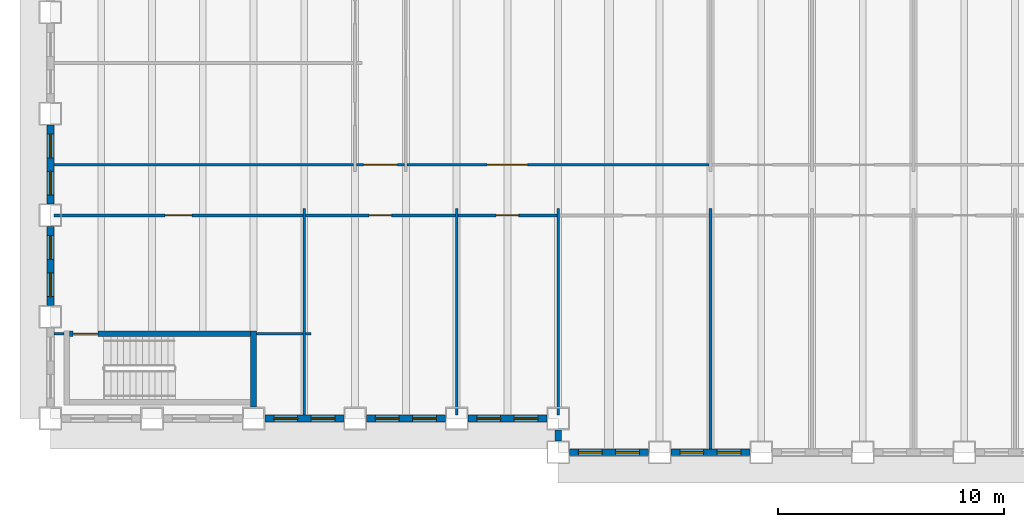
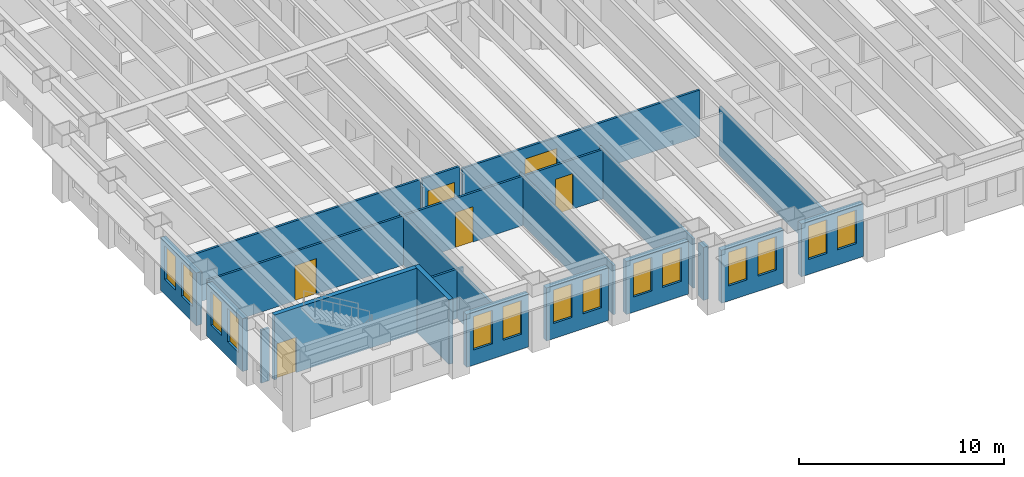
# One storey, part 3 of 16: 23 walls, 14 windows, 6 doors, 20 openings.
"""IFC4 building model written with IfcOpenShell, lengths in metres."""

from ifc_helpers import new_model, si_unit, direction, frame, frame_2d, origin, place, context, subcontext, project, spatial, rectangle, extrude, material, layer, layer_set, type_object, element, fill, save


model = new_model("IFC4")

# Units and contexts
model_context = context("Model", 3, precision=1e-05, world=origin(), true_north=direction((0.0, 1.0)))
body_context = subcontext(model_context, "Body", "Model", "MODEL_VIEW")
ifc_project = project(units=[si_unit("LENGTHUNIT", "METRE"), si_unit("AREAUNIT", "SQUARE_METRE"), si_unit("VOLUMEUNIT", "CUBIC_METRE"), si_unit("PLANEANGLEUNIT", "RADIAN"), si_unit("MASSUNIT", "GRAM", prefix="KILO")], contexts=[model_context])

# Site, building, storey
site_placement = place(None, origin())
site = spatial("IfcSite", under=ifc_project, at=site_placement, CompositionType="ELEMENT")
building_placement = place(site_placement, origin())
building = spatial("IfcBuilding", under=site, at=building_placement, Name="Sennacour Bend Tower", CompositionType="ELEMENT")
storey_placement = place(building_placement, frame((0.0, 0.0, 95.0)))
storey = spatial("IfcBuildingStorey", under=building, at=storey_placement, Name="L21", CompositionType="ELEMENT", Elevation=95.0)

# Walls
ifc_material_1 = material(Name="Plasterboard partition on steel studs", Category="steel")
ifc_layer_1 = layer(ifc_material_1, 0.1201171875, Name="Plasterboard partition on steel studs", Category="steel")
ifc_layer_set_1 = layer_set([ifc_layer_1], Name="Plasterboard partition on steel studs")
wall_type_1 = type_object("IfcWallType", Name="Partition 120", PredefinedType="PARTITIONING", material=ifc_layer_set_1)
for number, where, z_axis, x_axis, name in (
    (1, (11.25, 0.14990234375, 0.0), (0.0, 0.0, 1.0), (0.0, 1.0, 0.0), "P-L21-W012a"),
    (2, (18.0, 0.14990234375, 0.0), (0.0, 0.0, 1.0), (0.0, 1.0, 0.0), "P-L21-W019a"),
    (3, (22.5, 0.14990234375, 0.0), (0.0, 0.0, 1.0), (0.0, 1.0, 0.0), "P-L21-W023a"),
):
    element("IfcWall", number, at=place(storey_placement, frame(where, z_axis=z_axis, x_axis=x_axis)), inside=storey, type_object=wall_type_1, Name=name, PredefinedType="PARTITIONING", context=body_context, shape_type="SweptSolid", body=[
        extrude(rectangle(XDim=9.150146484375, YDim=0.1201171875, at=frame_2d((4.5751953125, 0.0))), origin(), (0.0, 0.0, 1.0), 2.93798828125),
    ])
wall_1_placement = place(storey_placement, frame((29.25, -1.35009765625, 0.0), z_axis=(0.0, 0.0, 1.0), x_axis=(0.0, 1.0, 0.0)))
element("IfcWall", 4, at=wall_1_placement, inside=storey, type_object=wall_type_1, Name="P-L21-W025a", PredefinedType="PARTITIONING", context=body_context, shape_type="SweptSolid", body=[
    extrude(rectangle(XDim=10.650146484375, YDim=0.1201171875, at=frame_2d((5.3251953125, 0.0))), origin(), (0.0, 0.0, 1.0), 2.93798828125),
])
wall_2_placement = place(storey_placement, frame((0.14990234375, 3.75, 0.0), z_axis=(0.0, 0.0, 1.0), x_axis=(1.0, 0.0, 0.0)))
element("IfcWall", 5, at=wall_2_placement, inside=storey, type_object=wall_type_1, Name="P-L21-W052a", PredefinedType="PARTITIONING", context=body_context, shape_type="SweptSolid", body=[
    extrude(rectangle(XDim=0.4501953125, YDim=0.1201171875, at=frame_2d((0.22509765625, 0.0))), origin(), (0.0, 0.0, 1.0), 3.154052734375),
])
wall_3_placement = place(storey_placement, frame((9.125, 3.75, 0.0), z_axis=(0.0, 0.0, 1.0), x_axis=(1.0, 0.0, 0.0)))
element("IfcWall", 6, at=wall_3_placement, inside=storey, type_object=wall_type_1, Name="P-L21-W054aa", PredefinedType="PARTITIONING", context=body_context, shape_type="SweptSolid", body=[
    extrude(rectangle(XDim=2.06494140625, YDim=0.1201171875, at=frame_2d((1.032470703125, 0.0))), origin(), (0.0, 0.0, 1.0), 2.93798828125),
])
wall_4_placement = place(storey_placement, frame((11.31005859375, 3.75, 0.0), z_axis=(0.0, 0.0, 1.0), x_axis=(1.0, 0.0, 0.0)))
element("IfcWall", 7, at=wall_4_placement, inside=storey, type_object=wall_type_1, Name="P-L21-W054ab", PredefinedType="PARTITIONING", context=body_context, shape_type="SweptSolid", body=[
    extrude(rectangle(XDim=0.239990234375, YDim=0.1201171875, at=frame_2d((0.1201171875, 0.0))), origin(), (0.0, 0.0, 1.0), 2.93798828125),
])

# Wall, opening, door
wall_5_placement = place(storey_placement, frame((11.31005859375, 9.0, 0.0), z_axis=(0.0, 0.0, 1.0), x_axis=(1.0, 0.0, 0.0)))
wall_5 = element("IfcWall", 8, at=wall_5_placement, inside=storey, type_object=wall_type_1, Name="P-L21-W058ab", PredefinedType="PARTITIONING", context=body_context, shape_type="SweptSolid", body=[
    extrude(rectangle(XDim=6.6298828125, YDim=0.1201171875, at=frame_2d((3.31494140625, 0.0))), origin(), (0.0, 0.0, 1.0), 2.93798828125),
])
opening_1_placement = place(wall_5_placement, frame((2.81494140625, 0.0, 0.0)))
opening_1 = element("IfcOpeningElement", 9, at=opening_1_placement, cuts=wall_5, Name="Opening OD2", PredefinedType="OPENING", context=body_context, shape_type="SweptSolid", body=[
    extrude(rectangle(XDim=1.0, YDim=2.10009765625, at=frame_2d((0.5, 1.050048828125))), frame((0.0, 0.070068359375, 0.0), z_axis=(0.0, -1.0, 0.0), x_axis=(1.0, 0.0, 0.0)), (0.0, 0.0, 1.0), 0.14013671875),
])
ifc_material_2 = material(Name="Timber", Category="wood")
door_type_1 = type_object("IfcDoorType", Name="DR-OFFICE-1000", OperationType="NOTDEFINED", PredefinedType="DOOR", material=ifc_material_2)
door_1_placement = place(opening_1_placement, origin())
door_1 = element("IfcDoor", 10, at=door_1_placement, inside=storey, type_object=door_type_1, Name="Door", OperationType="SINGLE_SWING_LEFT", OverallHeight=2.10009765625, OverallWidth=1.0, PredefinedType="DOOR", context=body_context, shape_type="SweptSolid", body=[
    extrude(rectangle(XDim=1.0, YDim=2.10009765625, at=frame_2d((0.5, 1.050048828125))), frame((0.0, 0.02490234375, 0.0), z_axis=(0.0, -1.0, 0.0), x_axis=(1.0, 0.0, 0.0)), (0.0, 0.0, 1.0), 0.050048828125),
])
fill(opening_1, door_1)

wall_6_placement = place(storey_placement, frame((18.06005859375, 9.0, 0.0), z_axis=(0.0, 0.0, 1.0), x_axis=(1.0, 0.0, 0.0)))
wall_6 = element("IfcWall", 11, at=wall_6_placement, inside=storey, type_object=wall_type_1, Name="P-L21-W058ac", PredefinedType="PARTITIONING", context=body_context, shape_type="SweptSolid", body=[
    extrude(rectangle(XDim=4.3798828125, YDim=0.1201171875, at=frame_2d((2.18994140625, 0.0))), origin(), (0.0, 0.0, 1.0), 2.93798828125),
])
opening_2_placement = place(wall_6_placement, frame((1.68994140625, 0.0, 0.0)))
opening_2 = element("IfcOpeningElement", 12, at=opening_2_placement, cuts=wall_6, Name="Opening OD2", PredefinedType="OPENING", context=body_context, shape_type="SweptSolid", body=[
    extrude(rectangle(XDim=1.0, YDim=2.10009765625, at=frame_2d((0.5, 1.050048828125))), frame((0.0, 0.070068359375, 0.0), z_axis=(0.0, -1.0, 0.0), x_axis=(1.0, 0.0, 0.0)), (0.0, 0.0, 1.0), 0.14013671875),
])
door_2_placement = place(opening_2_placement, origin())
door_2 = element("IfcDoor", 13, at=door_2_placement, inside=storey, type_object=door_type_1, Name="Door", OperationType="SINGLE_SWING_LEFT", OverallHeight=2.10009765625, OverallWidth=1.0, PredefinedType="DOOR", context=body_context, shape_type="SweptSolid", body=[
    extrude(rectangle(XDim=1.0, YDim=2.10009765625, at=frame_2d((0.5, 1.050048828125))), frame((0.0, 0.02490234375, 0.0), z_axis=(0.0, -1.0, 0.0), x_axis=(1.0, 0.0, 0.0)), (0.0, 0.0, 1.0), 0.050048828125),
])
fill(opening_2, door_2)

# Wall
wall_7_placement = place(storey_placement, frame((0.14990234375, 11.25, 0.0), z_axis=(0.0, 0.0, 1.0), x_axis=(1.0, 0.0, 0.0)))
element("IfcWall", 14, at=wall_7_placement, inside=storey, type_object=wall_type_1, Name="P-L21-W060aa", PredefinedType="PARTITIONING", context=body_context, shape_type="SweptSolid", body=[
    extrude(rectangle(XDim=13.2900390625, YDim=0.1201171875, at=frame_2d((6.64501953125, 0.0))), origin(), (0.0, 0.0, 1.0), 2.93798828125),
])

# Wall, opening, door
wall_8_placement = place(storey_placement, frame((15.81005859375, 11.25, 0.0), z_axis=(0.0, 0.0, 1.0), x_axis=(1.0, 0.0, 0.0)))
wall_8 = element("IfcWall", 15, at=wall_8_placement, inside=storey, type_object=wall_type_1, Name="P-L21-W060ac", PredefinedType="PARTITIONING", context=body_context, shape_type="SweptSolid", body=[
    extrude(rectangle(XDim=13.3798828125, YDim=0.1201171875, at=frame_2d((6.68994140625, 0.0))), origin(), (0.0, 0.0, 1.0), 2.760009765625),
])
opening_3_placement = place(wall_8_placement, frame((3.539794921875, 0.0, 0.0)))
opening_3 = element("IfcOpeningElement", 16, at=opening_3_placement, cuts=wall_8, Name="Opening OD3", PredefinedType="OPENING", context=body_context, shape_type="SweptSolid", body=[
    extrude(rectangle(XDim=1.800048828125, YDim=2.10009765625, at=frame_2d((0.89990234375, 1.050048828125))), frame((0.0, 0.070068359375, 0.0), z_axis=(0.0, -1.0, 0.0), x_axis=(1.0, 0.0, 0.0)), (0.0, 0.0, 1.0), 0.14013671875),
])
door_type_2 = type_object("IfcDoorType", Name="DR-OFFICE-1800", OperationType="NOTDEFINED", PredefinedType="DOOR", material=ifc_material_2)
door_3_placement = place(opening_3_placement, origin())
door_3 = element("IfcDoor", 17, at=door_3_placement, inside=storey, type_object=door_type_2, Name="Door", OperationType="DOUBLE_DOOR_SINGLE_SWING", OverallHeight=2.10009765625, OverallWidth=1.800048828125, PredefinedType="DOOR", context=body_context, shape_type="SweptSolid", body=[
    extrude(rectangle(XDim=1.800048828125, YDim=2.10009765625, at=frame_2d((0.89990234375, 1.050048828125))), frame((0.0, 0.02490234375, 0.0), z_axis=(0.0, -1.0, 0.0), x_axis=(1.0, 0.0, 0.0)), (0.0, 0.0, 1.0), 0.050048828125),
])
fill(opening_3, door_3)

ifc_layer_2 = layer(ifc_material_1, 0.1201171875, Name="Plasterboard partition on steel studs", Category="steel")
ifc_layer_set_2 = layer_set([ifc_layer_2], Name="Plasterboard partition on steel studs")
wall_type_2 = type_object("IfcWallType", Name="Partition 120 EI 30", PredefinedType="PARTITIONING", material=ifc_layer_set_2)
wall_9_placement = place(storey_placement, frame((0.14990234375, 9.0, 0.0), z_axis=(0.0, 0.0, 1.0), x_axis=(1.0, 0.0, 0.0)))
wall_9 = element("IfcWall", 18, at=wall_9_placement, inside=storey, type_object=wall_type_2, Name="P-L21-W058aa", PredefinedType="PARTITIONING", context=body_context, shape_type="SweptSolid", body=[
    extrude(rectangle(XDim=11.0400390625, YDim=0.1201171875, at=frame_2d((5.52001953125, 0.0))), origin(), (0.0, 0.0, 1.0), 2.93798828125),
])
opening_4_placement = place(wall_9_placement, frame((4.93017578125, 0.0, 0.0)))
opening_4 = element("IfcOpeningElement", 19, at=opening_4_placement, cuts=wall_9, Name="Opening KD2", PredefinedType="OPENING", context=body_context, shape_type="SweptSolid", body=[
    extrude(rectangle(XDim=1.199951171875, YDim=2.10009765625, at=frame_2d((0.60009765625, 1.050048828125))), frame((0.0, 0.070068359375, 0.0), z_axis=(0.0, -1.0, 0.0), x_axis=(1.0, 0.0, 0.0)), (0.0, 0.0, 1.0), 0.14013671875),
])
ifc_material_3 = material(Name="Painted steel", Category="steel")
door_type_3 = type_object("IfcDoorType", Name="DR-CORRIDOR-1200", OperationType="NOTDEFINED", PredefinedType="DOOR", material=ifc_material_3)
door_4_placement = place(opening_4_placement, origin())
door_4 = element("IfcDoor", 20, at=door_4_placement, inside=storey, type_object=door_type_3, Name="Door", OperationType="SINGLE_SWING_LEFT", OverallHeight=2.10009765625, OverallWidth=1.199951171875, PredefinedType="DOOR", context=body_context, shape_type="SweptSolid", body=[
    extrude(rectangle(XDim=1.199951171875, YDim=2.10009765625, at=frame_2d((0.60009765625, 1.050048828125))), frame((0.0, 0.02490234375, 0.0), z_axis=(0.0, -1.0, 0.0), x_axis=(1.0, 0.0, 0.0)), (0.0, 0.0, 1.0), 0.050048828125),
])
fill(opening_4, door_4)

wall_10_placement = place(storey_placement, frame((13.56005859375, 11.25, 0.0), z_axis=(0.0, 0.0, 1.0), x_axis=(1.0, 0.0, 0.0)))
wall_10 = element("IfcWall", 21, at=wall_10_placement, inside=storey, type_object=wall_type_2, Name="P-L21-W060ab", PredefinedType="PARTITIONING", context=body_context, shape_type="SweptSolid", body=[
    extrude(rectangle(XDim=2.1298828125, YDim=0.1201171875, at=frame_2d((1.06494140625, 0.0))), origin(), (0.0, 0.0, 1.0), 2.93798828125),
])
opening_5_placement = place(wall_10_placement, frame((0.31494140625, 0.0, 0.0)))
opening_5 = element("IfcOpeningElement", 22, at=opening_5_placement, cuts=wall_10, Name="Opening KD", PredefinedType="OPENING", context=body_context, shape_type="SweptSolid", body=[
    extrude(rectangle(XDim=1.5, YDim=2.10009765625, at=frame_2d((0.75, 1.050048828125))), frame((0.0, 0.070068359375, 0.0), z_axis=(0.0, -1.0, 0.0), x_axis=(1.0, 0.0, 0.0)), (0.0, 0.0, 1.0), 0.14013671875),
])
door_type_4 = type_object("IfcDoorType", Name="DR-CORRIDOR-1500", OperationType="NOTDEFINED", PredefinedType="DOOR", material=ifc_material_3)
door_5_placement = place(opening_5_placement, origin())
door_5 = element("IfcDoor", 23, at=door_5_placement, inside=storey, type_object=door_type_4, Name="Door", OperationType="SINGLE_SWING_LEFT", OverallHeight=2.10009765625, OverallWidth=1.5, PredefinedType="DOOR", context=body_context, shape_type="SweptSolid", body=[
    extrude(rectangle(XDim=1.5, YDim=2.10009765625, at=frame_2d((0.75, 1.050048828125))), frame((0.0, 0.02490234375, 0.0), z_axis=(0.0, -1.0, 0.0), x_axis=(1.0, 0.0, 0.0)), (0.0, 0.0, 1.0), 0.050048828125),
])
fill(opening_5, door_5)

# Wall, openings, windows
ifc_material_4 = material(Name="Warm limestone cladding", Category="masonry")
ifc_layer_3 = layer(ifc_material_4, 0.050048828125, Name="Warm limestone cladding", Category="masonry")
ifc_material_5 = material(Name="Precast concrete C40/50", Category="concrete")
ifc_layer_4 = layer(ifc_material_5, 0.25, Name="Precast concrete C40/50", Category="concrete")
ifc_layer_set_3 = layer_set([ifc_layer_3, ifc_layer_4], Name="Precast concrete C40/50 with limestone cladding")
wall_type_3 = type_object("IfcWallType", Name="STONE-CLAD PRECAST SPANDREL 300", PredefinedType="STANDARD", material=ifc_layer_set_3)
wall_11_placement = place(storey_placement, frame((23.0, -1.5, 0.0), z_axis=(0.0, 0.0, 1.0), x_axis=(1.0, 0.0, 0.0)))
wall_11 = element("IfcWall", 24, at=wall_11_placement, inside=storey, type_object=wall_type_3, Name="Stone spandrel and pier wall L21 00.00", PredefinedType="STANDARD", context=body_context, shape_type="SweptSolid", body=[
    extrude(rectangle(XDim=3.5, YDim=0.300048828125, at=frame_2d((1.75, 0.0))), origin(), (0.0, 0.0, 1.0), 3.154052734375),
])
opening_6_placement = place(wall_11_placement, frame((0.39990234375, 0.0, 0.89990234375)))
opening_6 = element("IfcOpeningElement", 25, at=opening_6_placement, cuts=wall_11, Name="Opening W13", PredefinedType="OPENING", context=body_context, shape_type="SweptSolid", body=[
    extrude(rectangle(XDim=1.050048828125, YDim=2.0, at=frame_2d((0.52490234375, 1.0))), frame((0.0, 0.16015625, 0.0), z_axis=(0.0, -1.0, 0.0), x_axis=(1.0, 0.0, 0.0)), (0.0, 0.0, 1.0), 0.320068359375),
])
opening_7_placement = place(wall_11_placement, frame((2.050048828125, 0.0, 0.89990234375)))
opening_7 = element("IfcOpeningElement", 26, at=opening_7_placement, cuts=wall_11, Name="Opening W13", PredefinedType="OPENING", context=body_context, shape_type="SweptSolid", body=[
    extrude(rectangle(XDim=1.050048828125, YDim=2.0, at=frame_2d((0.52490234375, 1.0))), frame((0.0, 0.16015625, 0.0), z_axis=(0.0, -1.0, 0.0), x_axis=(1.0, 0.0, 0.0)), (0.0, 0.0, 1.0), 0.320068359375),
])
ifc_material_6 = material(Name="Clear low-emissivity glass", Category="glass")
window_type = type_object("IfcWindowType", Name="WIN-RIBBON-1050x2000", PartitioningType="SINGLE_PANEL", PredefinedType="WINDOW", material=ifc_material_6)
window_1_placement = place(opening_6_placement, origin())
window_1 = element("IfcWindow", 27, at=window_1_placement, inside=storey, type_object=window_type, Name="Ribbon window L21 00.00.0", OverallHeight=2.0, OverallWidth=1.050048828125, PartitioningType="SINGLE_PANEL", PredefinedType="WINDOW", context=body_context, shape_type="SweptSolid", body=[
    extrude(rectangle(XDim=1.050048828125, YDim=2.0, at=frame_2d((0.52490234375, 1.0))), frame((0.0, 0.030029296875, 0.0), z_axis=(0.0, -1.0, 0.0), x_axis=(1.0, 0.0, 0.0)), (0.0, 0.0, 1.0), 0.06005859375),
])
fill(opening_6, window_1)
window_2_placement = place(opening_7_placement, origin())
window_2 = element("IfcWindow", 28, at=window_2_placement, inside=storey, type_object=window_type, Name="Ribbon window L21 00.00.1", OverallHeight=2.0, OverallWidth=1.050048828125, PartitioningType="SINGLE_PANEL", PredefinedType="WINDOW", context=body_context, shape_type="SweptSolid", body=[
    extrude(rectangle(XDim=1.050048828125, YDim=2.0, at=frame_2d((0.52490234375, 1.0))), frame((0.0, 0.030029296875, 0.0), z_axis=(0.0, -1.0, 0.0), x_axis=(1.0, 0.0, 0.0)), (0.0, 0.0, 1.0), 0.06005859375),
])
fill(opening_7, window_2)

wall_12_placement = place(storey_placement, frame((27.5, -1.5, 0.0), z_axis=(0.0, 0.0, 1.0), x_axis=(1.0, 0.0, 0.0)))
wall_12 = element("IfcWall", 29, at=wall_12_placement, inside=storey, type_object=wall_type_3, Name="Stone spandrel and pier wall L21 00.01", PredefinedType="STANDARD", context=body_context, shape_type="SweptSolid", body=[
    extrude(rectangle(XDim=3.5, YDim=0.300048828125, at=frame_2d((1.75, 0.0))), origin(), (0.0, 0.0, 1.0), 3.154052734375),
])
opening_8_placement = place(wall_12_placement, frame((0.39990234375, 0.0, 0.89990234375)))
opening_8 = element("IfcOpeningElement", 30, at=opening_8_placement, cuts=wall_12, Name="Opening W13", PredefinedType="OPENING", context=body_context, shape_type="SweptSolid", body=[
    extrude(rectangle(XDim=1.050048828125, YDim=2.0, at=frame_2d((0.52490234375, 1.0))), frame((0.0, 0.16015625, 0.0), z_axis=(0.0, -1.0, 0.0), x_axis=(1.0, 0.0, 0.0)), (0.0, 0.0, 1.0), 0.320068359375),
])
opening_9_placement = place(wall_12_placement, frame((2.050048828125, 0.0, 0.89990234375)))
opening_9 = element("IfcOpeningElement", 31, at=opening_9_placement, cuts=wall_12, Name="Opening W13", PredefinedType="OPENING", context=body_context, shape_type="SweptSolid", body=[
    extrude(rectangle(XDim=1.050048828125, YDim=2.0, at=frame_2d((0.52490234375, 1.0))), frame((0.0, 0.16015625, 0.0), z_axis=(0.0, -1.0, 0.0), x_axis=(1.0, 0.0, 0.0)), (0.0, 0.0, 1.0), 0.320068359375),
])
window_3_placement = place(opening_8_placement, origin())
window_3 = element("IfcWindow", 32, at=window_3_placement, inside=storey, type_object=window_type, Name="Ribbon window L21 00.01.0", OverallHeight=2.0, OverallWidth=1.050048828125, PartitioningType="SINGLE_PANEL", PredefinedType="WINDOW", context=body_context, shape_type="SweptSolid", body=[
    extrude(rectangle(XDim=1.050048828125, YDim=2.0, at=frame_2d((0.52490234375, 1.0))), frame((0.0, 0.030029296875, 0.0), z_axis=(0.0, -1.0, 0.0), x_axis=(1.0, 0.0, 0.0)), (0.0, 0.0, 1.0), 0.06005859375),
])
fill(opening_8, window_3)
window_4_placement = place(opening_9_placement, origin())
window_4 = element("IfcWindow", 33, at=window_4_placement, inside=storey, type_object=window_type, Name="Ribbon window L21 00.01.1", OverallHeight=2.0, OverallWidth=1.050048828125, PartitioningType="SINGLE_PANEL", PredefinedType="WINDOW", context=body_context, shape_type="SweptSolid", body=[
    extrude(rectangle(XDim=1.050048828125, YDim=2.0, at=frame_2d((0.52490234375, 1.0))), frame((0.0, 0.030029296875, 0.0), z_axis=(0.0, -1.0, 0.0), x_axis=(1.0, 0.0, 0.0)), (0.0, 0.0, 1.0), 0.06005859375),
])
fill(opening_9, window_4)

wall_13_placement = place(storey_placement, frame((0.0, 13.0, 0.0), z_axis=(0.0, 0.0, 1.0), x_axis=(0.0, -1.0, 0.0)))
wall_13 = element("IfcWall", 34, at=wall_13_placement, inside=storey, type_object=wall_type_3, Name="Stone spandrel and pier wall L21 21.02", PredefinedType="STANDARD", context=body_context, shape_type="SweptSolid", body=[
    extrude(rectangle(XDim=3.5, YDim=0.300048828125, at=frame_2d((1.75, 0.0))), origin(), (0.0, 0.0, 1.0), 3.154052734375),
])
opening_10_placement = place(wall_13_placement, frame((0.39990234375, 0.0, 0.89990234375)))
opening_10 = element("IfcOpeningElement", 35, at=opening_10_placement, cuts=wall_13, Name="Opening W13", PredefinedType="OPENING", context=body_context, shape_type="SweptSolid", body=[
    extrude(rectangle(XDim=1.050048828125, YDim=2.0, at=frame_2d((0.52490234375, 1.0))), frame((0.0, 0.16015625, 0.0), z_axis=(0.0, -1.0, 0.0), x_axis=(1.0, 0.0, 0.0)), (0.0, 0.0, 1.0), 0.320068359375),
])
opening_11_placement = place(wall_13_placement, frame((2.050048828125, 0.0, 0.89990234375)))
opening_11 = element("IfcOpeningElement", 36, at=opening_11_placement, cuts=wall_13, Name="Opening W13", PredefinedType="OPENING", context=body_context, shape_type="SweptSolid", body=[
    extrude(rectangle(XDim=1.050048828125, YDim=2.0, at=frame_2d((0.52490234375, 1.0))), frame((0.0, 0.16015625, 0.0), z_axis=(0.0, -1.0, 0.0), x_axis=(1.0, 0.0, 0.0)), (0.0, 0.0, 1.0), 0.320068359375),
])
window_5_placement = place(opening_10_placement, origin())
window_5 = element("IfcWindow", 37, at=window_5_placement, inside=storey, type_object=window_type, Name="Ribbon window L21 21.02.0", OverallHeight=2.0, OverallWidth=1.050048828125, PartitioningType="SINGLE_PANEL", PredefinedType="WINDOW", context=body_context, shape_type="SweptSolid", body=[
    extrude(rectangle(XDim=1.050048828125, YDim=2.0, at=frame_2d((0.52490234375, 1.0))), frame((0.0, 0.030029296875, 0.0), z_axis=(0.0, -1.0, 0.0), x_axis=(1.0, 0.0, 0.0)), (0.0, 0.0, 1.0), 0.06005859375),
])
fill(opening_10, window_5)
window_6_placement = place(opening_11_placement, origin())
window_6 = element("IfcWindow", 38, at=window_6_placement, inside=storey, type_object=window_type, Name="Ribbon window L21 21.02.1", OverallHeight=2.0, OverallWidth=1.050048828125, PartitioningType="SINGLE_PANEL", PredefinedType="WINDOW", context=body_context, shape_type="SweptSolid", body=[
    extrude(rectangle(XDim=1.050048828125, YDim=2.0, at=frame_2d((0.52490234375, 1.0))), frame((0.0, 0.030029296875, 0.0), z_axis=(0.0, -1.0, 0.0), x_axis=(1.0, 0.0, 0.0)), (0.0, 0.0, 1.0), 0.06005859375),
])
fill(opening_11, window_6)

wall_14_placement = place(storey_placement, frame((0.0, 8.5, 0.0), z_axis=(0.0, 0.0, 1.0), x_axis=(0.0, -1.0, 0.0)))
wall_14 = element("IfcWall", 39, at=wall_14_placement, inside=storey, type_object=wall_type_3, Name="Stone spandrel and pier wall L21 21.03", PredefinedType="STANDARD", context=body_context, shape_type="SweptSolid", body=[
    extrude(rectangle(XDim=3.5, YDim=0.300048828125, at=frame_2d((1.75, 0.0))), origin(), (0.0, 0.0, 1.0), 3.154052734375),
])
opening_12_placement = place(wall_14_placement, frame((0.39990234375, 0.0, 0.89990234375)))
opening_12 = element("IfcOpeningElement", 40, at=opening_12_placement, cuts=wall_14, Name="Opening W13", PredefinedType="OPENING", context=body_context, shape_type="SweptSolid", body=[
    extrude(rectangle(XDim=1.050048828125, YDim=2.0, at=frame_2d((0.52490234375, 1.0))), frame((0.0, 0.16015625, 0.0), z_axis=(0.0, -1.0, 0.0), x_axis=(1.0, 0.0, 0.0)), (0.0, 0.0, 1.0), 0.320068359375),
])
opening_13_placement = place(wall_14_placement, frame((2.050048828125, 0.0, 0.89990234375)))
opening_13 = element("IfcOpeningElement", 41, at=opening_13_placement, cuts=wall_14, Name="Opening W13", PredefinedType="OPENING", context=body_context, shape_type="SweptSolid", body=[
    extrude(rectangle(XDim=1.050048828125, YDim=2.0, at=frame_2d((0.52490234375, 1.0))), frame((0.0, 0.16015625, 0.0), z_axis=(0.0, -1.0, 0.0), x_axis=(1.0, 0.0, 0.0)), (0.0, 0.0, 1.0), 0.320068359375),
])
window_7_placement = place(opening_12_placement, origin())
window_7 = element("IfcWindow", 42, at=window_7_placement, inside=storey, type_object=window_type, Name="Ribbon window L21 21.03.0", OverallHeight=2.0, OverallWidth=1.050048828125, PartitioningType="SINGLE_PANEL", PredefinedType="WINDOW", context=body_context, shape_type="SweptSolid", body=[
    extrude(rectangle(XDim=1.050048828125, YDim=2.0, at=frame_2d((0.52490234375, 1.0))), frame((0.0, 0.030029296875, 0.0), z_axis=(0.0, -1.0, 0.0), x_axis=(1.0, 0.0, 0.0)), (0.0, 0.0, 1.0), 0.06005859375),
])
fill(opening_12, window_7)
window_8_placement = place(opening_13_placement, origin())
window_8 = element("IfcWindow", 43, at=window_8_placement, inside=storey, type_object=window_type, Name="Ribbon window L21 21.03.1", OverallHeight=2.0, OverallWidth=1.050048828125, PartitioningType="SINGLE_PANEL", PredefinedType="WINDOW", context=body_context, shape_type="SweptSolid", body=[
    extrude(rectangle(XDim=1.050048828125, YDim=2.0, at=frame_2d((0.52490234375, 1.0))), frame((0.0, 0.030029296875, 0.0), z_axis=(0.0, -1.0, 0.0), x_axis=(1.0, 0.0, 0.0)), (0.0, 0.0, 1.0), 0.06005859375),
])
fill(opening_13, window_8)

wall_15_placement = place(storey_placement, frame((9.5, 0.0, 0.0), z_axis=(0.0, 0.0, 1.0), x_axis=(1.0, 0.0, 0.0)))
wall_15 = element("IfcWall", 44, at=wall_15_placement, inside=storey, type_object=wall_type_3, Name="Stone spandrel and pier wall L21 22.02", PredefinedType="STANDARD", context=body_context, shape_type="SweptSolid", body=[
    extrude(rectangle(XDim=3.5, YDim=0.300048828125, at=frame_2d((1.75, 0.0))), origin(), (0.0, 0.0, 1.0), 3.154052734375),
])
opening_14_placement = place(wall_15_placement, frame((0.39990234375, 0.0, 0.89990234375)))
opening_14 = element("IfcOpeningElement", 45, at=opening_14_placement, cuts=wall_15, Name="Opening W13", PredefinedType="OPENING", context=body_context, shape_type="SweptSolid", body=[
    extrude(rectangle(XDim=1.050048828125, YDim=2.0, at=frame_2d((0.52490234375, 1.0))), frame((0.0, 0.16015625, 0.0), z_axis=(0.0, -1.0, 0.0), x_axis=(1.0, 0.0, 0.0)), (0.0, 0.0, 1.0), 0.320068359375),
])
opening_15_placement = place(wall_15_placement, frame((2.050048828125, 0.0, 0.89990234375)))
opening_15 = element("IfcOpeningElement", 46, at=opening_15_placement, cuts=wall_15, Name="Opening W13", PredefinedType="OPENING", context=body_context, shape_type="SweptSolid", body=[
    extrude(rectangle(XDim=1.050048828125, YDim=2.0, at=frame_2d((0.52490234375, 1.0))), frame((0.0, 0.16015625, 0.0), z_axis=(0.0, -1.0, 0.0), x_axis=(1.0, 0.0, 0.0)), (0.0, 0.0, 1.0), 0.320068359375),
])
window_9_placement = place(opening_14_placement, origin())
window_9 = element("IfcWindow", 47, at=window_9_placement, inside=storey, type_object=window_type, Name="Ribbon window L21 22.02.0", OverallHeight=2.0, OverallWidth=1.050048828125, PartitioningType="SINGLE_PANEL", PredefinedType="WINDOW", context=body_context, shape_type="SweptSolid", body=[
    extrude(rectangle(XDim=1.050048828125, YDim=2.0, at=frame_2d((0.52490234375, 1.0))), frame((0.0, 0.030029296875, 0.0), z_axis=(0.0, -1.0, 0.0), x_axis=(1.0, 0.0, 0.0)), (0.0, 0.0, 1.0), 0.06005859375),
])
fill(opening_14, window_9)
window_10_placement = place(opening_15_placement, origin())
window_10 = element("IfcWindow", 48, at=window_10_placement, inside=storey, type_object=window_type, Name="Ribbon window L21 22.02.1", OverallHeight=2.0, OverallWidth=1.050048828125, PartitioningType="SINGLE_PANEL", PredefinedType="WINDOW", context=body_context, shape_type="SweptSolid", body=[
    extrude(rectangle(XDim=1.050048828125, YDim=2.0, at=frame_2d((0.52490234375, 1.0))), frame((0.0, 0.030029296875, 0.0), z_axis=(0.0, -1.0, 0.0), x_axis=(1.0, 0.0, 0.0)), (0.0, 0.0, 1.0), 0.06005859375),
])
fill(opening_15, window_10)

wall_16_placement = place(storey_placement, frame((14.0, 0.0, 0.0), z_axis=(0.0, 0.0, 1.0), x_axis=(1.0, 0.0, 0.0)))
wall_16 = element("IfcWall", 49, at=wall_16_placement, inside=storey, type_object=wall_type_3, Name="Stone spandrel and pier wall L21 22.03", PredefinedType="STANDARD", context=body_context, shape_type="SweptSolid", body=[
    extrude(rectangle(XDim=3.5, YDim=0.300048828125, at=frame_2d((1.75, 0.0))), origin(), (0.0, 0.0, 1.0), 3.154052734375),
])
opening_16_placement = place(wall_16_placement, frame((0.39990234375, 0.0, 0.89990234375)))
opening_16 = element("IfcOpeningElement", 50, at=opening_16_placement, cuts=wall_16, Name="Opening W13", PredefinedType="OPENING", context=body_context, shape_type="SweptSolid", body=[
    extrude(rectangle(XDim=1.050048828125, YDim=2.0, at=frame_2d((0.52490234375, 1.0))), frame((0.0, 0.16015625, 0.0), z_axis=(0.0, -1.0, 0.0), x_axis=(1.0, 0.0, 0.0)), (0.0, 0.0, 1.0), 0.320068359375),
])
opening_17_placement = place(wall_16_placement, frame((2.050048828125, 0.0, 0.89990234375)))
opening_17 = element("IfcOpeningElement", 51, at=opening_17_placement, cuts=wall_16, Name="Opening W13", PredefinedType="OPENING", context=body_context, shape_type="SweptSolid", body=[
    extrude(rectangle(XDim=1.050048828125, YDim=2.0, at=frame_2d((0.52490234375, 1.0))), frame((0.0, 0.16015625, 0.0), z_axis=(0.0, -1.0, 0.0), x_axis=(1.0, 0.0, 0.0)), (0.0, 0.0, 1.0), 0.320068359375),
])
window_11_placement = place(opening_16_placement, origin())
window_11 = element("IfcWindow", 52, at=window_11_placement, inside=storey, type_object=window_type, Name="Ribbon window L21 22.03.0", OverallHeight=2.0, OverallWidth=1.050048828125, PartitioningType="SINGLE_PANEL", PredefinedType="WINDOW", context=body_context, shape_type="SweptSolid", body=[
    extrude(rectangle(XDim=1.050048828125, YDim=2.0, at=frame_2d((0.52490234375, 1.0))), frame((0.0, 0.030029296875, 0.0), z_axis=(0.0, -1.0, 0.0), x_axis=(1.0, 0.0, 0.0)), (0.0, 0.0, 1.0), 0.06005859375),
])
fill(opening_16, window_11)
window_12_placement = place(opening_17_placement, origin())
window_12 = element("IfcWindow", 53, at=window_12_placement, inside=storey, type_object=window_type, Name="Ribbon window L21 22.03.1", OverallHeight=2.0, OverallWidth=1.050048828125, PartitioningType="SINGLE_PANEL", PredefinedType="WINDOW", context=body_context, shape_type="SweptSolid", body=[
    extrude(rectangle(XDim=1.050048828125, YDim=2.0, at=frame_2d((0.52490234375, 1.0))), frame((0.0, 0.030029296875, 0.0), z_axis=(0.0, -1.0, 0.0), x_axis=(1.0, 0.0, 0.0)), (0.0, 0.0, 1.0), 0.06005859375),
])
fill(opening_17, window_12)

wall_17_placement = place(storey_placement, frame((18.5, 0.0, 0.0), z_axis=(0.0, 0.0, 1.0), x_axis=(1.0, 0.0, 0.0)))
wall_17 = element("IfcWall", 54, at=wall_17_placement, inside=storey, type_object=wall_type_3, Name="Stone spandrel and pier wall L21 22.04", PredefinedType="STANDARD", context=body_context, shape_type="SweptSolid", body=[
    extrude(rectangle(XDim=3.5, YDim=0.300048828125, at=frame_2d((1.75, 0.0))), origin(), (0.0, 0.0, 1.0), 3.154052734375),
])
opening_18_placement = place(wall_17_placement, frame((0.39990234375, 0.0, 0.89990234375)))
opening_18 = element("IfcOpeningElement", 55, at=opening_18_placement, cuts=wall_17, Name="Opening W13", PredefinedType="OPENING", context=body_context, shape_type="SweptSolid", body=[
    extrude(rectangle(XDim=1.050048828125, YDim=2.0, at=frame_2d((0.52490234375, 1.0))), frame((0.0, 0.16015625, 0.0), z_axis=(0.0, -1.0, 0.0), x_axis=(1.0, 0.0, 0.0)), (0.0, 0.0, 1.0), 0.320068359375),
])
opening_19_placement = place(wall_17_placement, frame((2.050048828125, 0.0, 0.89990234375)))
opening_19 = element("IfcOpeningElement", 56, at=opening_19_placement, cuts=wall_17, Name="Opening W13", PredefinedType="OPENING", context=body_context, shape_type="SweptSolid", body=[
    extrude(rectangle(XDim=1.050048828125, YDim=2.0, at=frame_2d((0.52490234375, 1.0))), frame((0.0, 0.16015625, 0.0), z_axis=(0.0, -1.0, 0.0), x_axis=(1.0, 0.0, 0.0)), (0.0, 0.0, 1.0), 0.320068359375),
])
window_13_placement = place(opening_18_placement, origin())
window_13 = element("IfcWindow", 57, at=window_13_placement, inside=storey, type_object=window_type, Name="Ribbon window L21 22.04.0", OverallHeight=2.0, OverallWidth=1.050048828125, PartitioningType="SINGLE_PANEL", PredefinedType="WINDOW", context=body_context, shape_type="SweptSolid", body=[
    extrude(rectangle(XDim=1.050048828125, YDim=2.0, at=frame_2d((0.52490234375, 1.0))), frame((0.0, 0.030029296875, 0.0), z_axis=(0.0, -1.0, 0.0), x_axis=(1.0, 0.0, 0.0)), (0.0, 0.0, 1.0), 0.06005859375),
])
fill(opening_18, window_13)
window_14_placement = place(opening_19_placement, origin())
window_14 = element("IfcWindow", 58, at=window_14_placement, inside=storey, type_object=window_type, Name="Ribbon window L21 22.04.1", OverallHeight=2.0, OverallWidth=1.050048828125, PartitioningType="SINGLE_PANEL", PredefinedType="WINDOW", context=body_context, shape_type="SweptSolid", body=[
    extrude(rectangle(XDim=1.050048828125, YDim=2.0, at=frame_2d((0.52490234375, 1.0))), frame((0.0, 0.030029296875, 0.0), z_axis=(0.0, -1.0, 0.0), x_axis=(1.0, 0.0, 0.0)), (0.0, 0.0, 1.0), 0.06005859375),
])
fill(opening_19, window_14)

# Walls
wall_18_placement = place(storey_placement, frame((22.5, -0.5, 0.0), z_axis=(0.0, 0.0, 1.0), x_axis=(0.0, -1.0, 0.0)))
element("IfcWall", 59, at=wall_18_placement, inside=storey, type_object=wall_type_3, Name="Stone spandrel and pier wall L21 23.00", PredefinedType="STANDARD", context=body_context, shape_type="SweptSolid", body=[
    extrude(rectangle(XDim=0.5, YDim=0.300048828125, at=frame_2d((0.25, 0.0))), origin(), (0.0, 0.0, 1.0), 3.154052734375),
])
ifc_material_7 = material(Name="Concrete C60/75", Category="concrete")
ifc_layer_5 = layer(ifc_material_7, 0.25, Name="Concrete C60/75", Category="concrete")
ifc_layer_set_4 = layer_set([ifc_layer_5], Name="Concrete C60/75")
wall_type_4 = type_object("IfcWallType", Name="Stair wall 250", PredefinedType="SHEAR", material=ifc_layer_set_4)
wall_19_placement = place(storey_placement, frame((9.0, 0.5, 0.0), z_axis=(0.0, 0.0, 1.0), x_axis=(0.0, 1.0, 0.0)))
element("IfcWall", 60, at=wall_19_placement, inside=storey, type_object=wall_type_4, Name="P-L21-W009", PredefinedType="SHEAR", context=body_context, shape_type="SweptSolid", body=[
    extrude(rectangle(XDim=3.375, YDim=0.25, at=frame_2d((1.6875, 0.0))), origin(), (0.0, 0.0, 1.0), 3.85009765625),
])

# Wall, opening, door
wall_20_placement = place(storey_placement, frame((0.85009765625, 3.75, 0.0), z_axis=(0.0, 0.0, 1.0), x_axis=(1.0, 0.0, 0.0)))
wall_20 = element("IfcWall", 61, at=wall_20_placement, inside=storey, type_object=wall_type_4, Name="P-L21-W053", PredefinedType="SHEAR", context=body_context, shape_type="SweptSolid", body=[
    extrude(rectangle(XDim=8.02490234375, YDim=0.25, at=frame_2d((4.012451171875, 0.0))), origin(), (0.0, 0.0, 1.0), 3.85009765625),
])
opening_20_placement = place(wall_20_placement, frame((0.14990234375, 0.0, 0.0)))
opening_20 = element("IfcOpeningElement", 62, at=opening_20_placement, cuts=wall_20, Name="Opening SD", PredefinedType="OPENING", context=body_context, shape_type="SweptSolid", body=[
    extrude(rectangle(XDim=1.10009765625, YDim=2.10009765625, at=frame_2d((0.550048828125, 1.050048828125))), frame((0.0, 0.135009765625, 0.0), z_axis=(0.0, -1.0, 0.0), x_axis=(1.0, 0.0, 0.0)), (0.0, 0.0, 1.0), 0.27001953125),
])
door_type_5 = type_object("IfcDoorType", Name="DR-STAIR-1100", OperationType="NOTDEFINED", PredefinedType="DOOR", material=ifc_material_3)
door_6_placement = place(opening_20_placement, origin())
door_6 = element("IfcDoor", 63, at=door_6_placement, inside=storey, type_object=door_type_5, Name="Door", OperationType="SINGLE_SWING_LEFT", OverallHeight=2.10009765625, OverallWidth=1.10009765625, PredefinedType="DOOR", context=body_context, shape_type="SweptSolid", body=[
    extrude(rectangle(XDim=1.10009765625, YDim=2.10009765625, at=frame_2d((0.550048828125, 1.050048828125))), frame((0.0, 0.02490234375, 0.0), z_axis=(0.0, -1.0, 0.0), x_axis=(1.0, 0.0, 0.0)), (0.0, 0.0, 1.0), 0.050048828125),
])
fill(opening_20, door_6)

save(model, "model.ifc")
